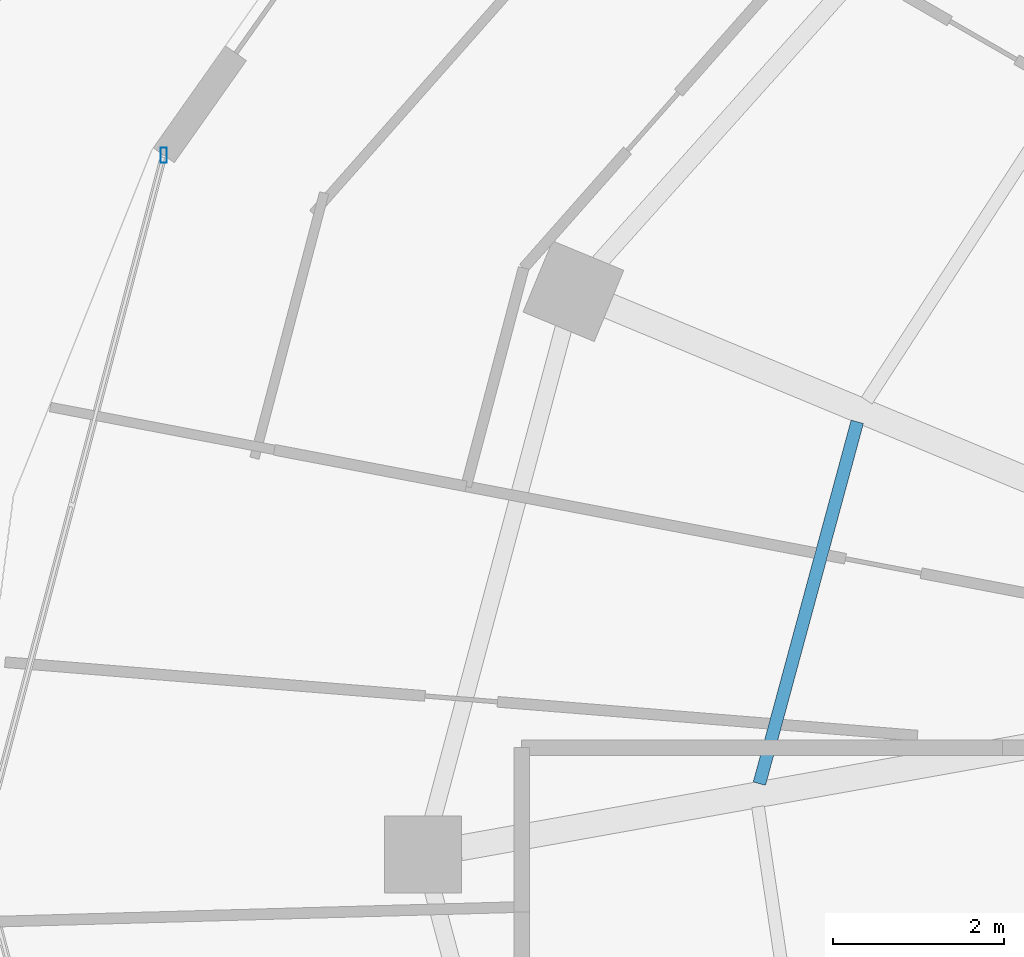
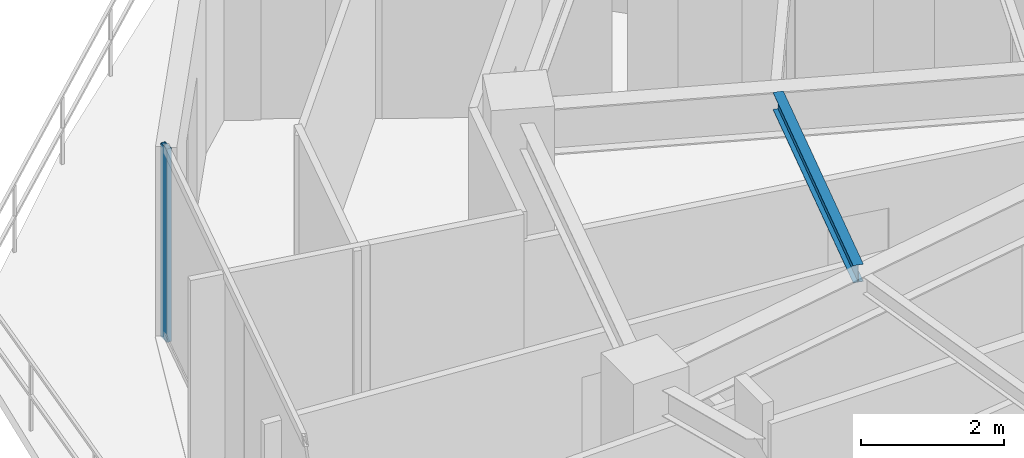
# One storey, part 9 of 33: 1 beam, 1 member, 1 element without a shape of its own.
"""IFC4 building model written with IfcOpenShell, lengths in metres."""

import ifcopenshell
import ifcopenshell.guid

model = None  # the IFC model being written
_history = None  # IfcOwnerHistory: only IFC2X3 demands one
_inside = {}  # id of a spatial element -> (the spatial element, [elements in it])
_under = {}  # id of a project, library or spatial element -> (it, [spatial elements below it])
_declared = {}  # id of a project -> (the project, [libraries it declares])
_typed = {}  # id of a type object -> (the type object, [elements of that type])
_made_of = {}  # id of a material, layer set ... -> (it, [elements and type objects made of it])


def new_model(schema):
    """Start an empty IFC model of exactly this schema.

    Asked for "IFC4X3", IfcOpenShell would pick the latest addendum, in which some entities
    have other attributes; the version numbers below select the first issue.
    IFC2X3 requires an IfcOwnerHistory on every rooted entity: one is made here for all.
    """
    global model, _history
    if schema == "IFC4X3":
        model = ifcopenshell.file(schema_version=(4, 3, 0, 0))
    else:
        model = ifcopenshell.file(schema=schema)
    _inside.clear()
    _under.clear()
    _declared.clear()
    _typed.clear()
    _made_of.clear()
    _history = None
    if model.schema == "IFC2X3":
        org = make("IfcOrganization", Name="unknown")
        user = make(
            "IfcPersonAndOrganization",
            ThePerson=make("IfcPerson", FamilyName="unknown"),
            TheOrganization=org,
        )
        app = make(
            "IfcApplication",
            ApplicationDeveloper=org,
            Version="unknown",
            ApplicationFullName="unknown",
            ApplicationIdentifier="unknown",
        )
        _history = make(
            "IfcOwnerHistory",
            OwningUser=user,
            OwningApplication=app,
            ChangeAction="ADDED",
            CreationDate=0,
        )
    return model


def make(cls, **values):
    """One entity of the class cls with the attributes given. An attribute that is None is left unset."""
    return model.create_entity(
        cls, **{name: value for name, value in values.items() if value is not None}
    )


def rooted(cls, **values):
    """An entity with a GlobalId (a new one), such as an element, a storey or a relation."""
    return make(cls, GlobalId=ifcopenshell.guid.new(), OwnerHistory=_history, **values)


def si_unit(unit_type, name, prefix=None):
    """IfcSIUnit, for example si_unit("LENGTHUNIT", "METRE", prefix="MILLI")."""
    return make("IfcSIUnit", UnitType=unit_type, Prefix=prefix, Name=name)


def assignment(units):
    """IfcUnitAssignment: the units of a project."""
    return None if units is None else make("IfcUnitAssignment", Units=units)


def point(xyz):
    """IfcCartesianPoint."""
    return None if xyz is None else make("IfcCartesianPoint", Coordinates=xyz)


def direction(xyz):
    """IfcDirection."""
    return None if xyz is None else make("IfcDirection", DirectionRatios=xyz)


def frame(location, z_axis=None, x_axis=None):
    """IfcAxis2Placement3D, a coordinate frame: its origin and axes. An axis left out is left unset."""
    return make(
        "IfcAxis2Placement3D",
        Location=point(location),
        Axis=direction(z_axis),
        RefDirection=direction(x_axis),
    )


def frame_2d(location, x_axis=None):
    """IfcAxis2Placement2D, a coordinate frame in the plane: its origin and x axis."""
    return make(
        "IfcAxis2Placement2D", Location=point(location), RefDirection=direction(x_axis)
    )


def origin():
    """The frame at (0, 0, 0) with its axes left unset."""
    return frame((0.0, 0.0, 0.0))


def origin_2d():
    """The frame at (0, 0) in the plane with its x axis left unset."""
    return frame_2d((0.0, 0.0))


def place(relative_to, where):
    """IfcLocalPlacement: puts the frame where relative to a parent placement (None: the world)."""
    return make(
        "IfcLocalPlacement", PlacementRelTo=relative_to, RelativePlacement=where
    )


def context(
    kind, dimensions, precision=None, world=None, true_north=None, identifier=None
):
    """IfcGeometricRepresentationContext, for example the 3D "Model" context."""
    return make(
        "IfcGeometricRepresentationContext",
        ContextIdentifier=identifier,
        ContextType=kind,
        CoordinateSpaceDimension=dimensions,
        Precision=precision,
        WorldCoordinateSystem=world,
        TrueNorth=true_north,
    )


def subcontext(parent, identifier, kind, view, scale=None):
    """IfcGeometricRepresentationSubContext, for example "Body" below "Model"."""
    return make(
        "IfcGeometricRepresentationSubContext",
        ContextIdentifier=identifier,
        ContextType=kind,
        ParentContext=parent,
        TargetScale=scale,
        TargetView=view,
    )


def project(units=None, contexts=None):
    """IfcProject with its units and contexts."""
    return rooted(
        "IfcProject",
        Name="project",
        RepresentationContexts=contexts,
        UnitsInContext=assignment(units),
    )


def spatial(cls, under=None, at=None, **own):
    """A site, building, storey or space (cls), placed at a placement, below another one or the project."""
    s = rooted(cls, ObjectPlacement=at, **own)
    if under is not None:
        _under.setdefault(under.id(), (under, []))[1].append(s)
    return s


def profile(cls, at=None, kind="AREA", **sizes):
    """A parametric profile (cls). Its sizes go by their IFC names, for example OverallWidth=200.0."""
    return make(cls, ProfileType=kind, Position=at, **sizes)


def hollow_rectangle(**sizes):
    """IfcRectangleHollowProfileDef."""
    return profile("IfcRectangleHollowProfileDef", **sizes)


def i_section(**sizes):
    """IfcIShapeProfileDef."""
    return profile("IfcIShapeProfileDef", **sizes)


def extrude(swept, where, along, depth):
    """IfcExtrudedAreaSolid: the profile swept, set in the frame where, extruded along a direction by depth."""
    return make(
        "IfcExtrudedAreaSolid",
        SweptArea=swept,
        Position=where,
        ExtrudedDirection=direction(along),
        Depth=depth,
    )


def shape(context_of_items, identifier, shape_type, items):
    """IfcShapeRepresentation: the items that make up one representation, for example the "Body"."""
    return make(
        "IfcShapeRepresentation",
        ContextOfItems=context_of_items,
        RepresentationIdentifier=identifier,
        RepresentationType=shape_type,
        Items=items,
    )


def material(Name=None, Category=None):
    """IfcMaterial."""
    return make("IfcMaterial", Name=Name, Category=Category)


def material_profile(
    of_material, cross_section, Name=None, Category=None, Priority=None
):
    """IfcMaterialProfile: a cross section and its material."""
    return make(
        "IfcMaterialProfile",
        Name=Name,
        Material=of_material,
        Profile=cross_section,
        Priority=Priority,
        Category=Category,
    )


def profile_set(profiles, Name=None, composite=None):
    """IfcMaterialProfileSet."""
    return make(
        "IfcMaterialProfileSet",
        Name=Name,
        MaterialProfiles=profiles,
        CompositeProfile=composite,
    )


def made_of(thing, what):
    """Note that an element or type object is made of a material, layer set ...; save() writes the relation."""
    if what is not None:
        _made_of.setdefault(what.id(), (what, []))[1].append(thing)
    return thing


def type_object(cls, material=None, **own):
    """A type object (cls), such as IfcWallType, which elements share."""
    return made_of(rooted(cls, **own), material)


def element(
    cls,
    number,
    at=None,
    inside=None,
    cuts=None,
    type_object=None,
    material=None,
    context=None,
    identifier="Body",
    shape_type=None,
    held_by="IfcProductDefinitionShape",
    body=None,
    shapes=None,
    **own,
):
    """One element of the class cls, such as IfcWall. Its Tag is "e" and its number.

    at: its placement. inside: the storey or other place that contains it. cuts: it is an
    opening in that element (IfcRelVoidsElement). A single representation is given by context,
    identifier, shape_type and body (its items); several are given by shapes. held_by: the class
    of the entity that holds the representations. save() writes the other relations.
    """
    e = rooted(cls, Tag="e%d" % number, ObjectPlacement=at, **own)
    if body is not None:
        shapes = [shape(context, identifier, shape_type, body)]
    if shapes is not None:
        e.Representation = make(held_by, Representations=shapes)
    if inside is not None:
        _inside.setdefault(inside.id(), (inside, []))[1].append(e)
    if cuts is not None:
        rooted(
            "IfcRelVoidsElement", RelatingBuildingElement=cuts, RelatedOpeningElement=e
        )
    if type_object is not None:
        _typed.setdefault(type_object.id(), (type_object, []))[1].append(e)
    return made_of(e, material)


def aggregate(whole, parts):
    """IfcRelAggregates: a whole, such as a stair, and the parts it consists of."""
    return rooted("IfcRelAggregates", RelatingObject=whole, RelatedObjects=parts)


def save(model, path):
    """Write the relations noted so far, then the file.

    IfcRelAggregates (storeys below a building ...), IfcRelContainedInSpatialStructure (elements
    in a storey), IfcRelDefinesByType, IfcRelAssociatesMaterial and IfcRelDeclares: one each for
    every whole, place, type object, material and project.
    """
    for whole, parts in _under.values():
        aggregate(whole, parts)
    for where, things in _inside.values():
        rooted(
            "IfcRelContainedInSpatialStructure",
            RelatedElements=things,
            RelatingStructure=where,
        )
    for kind, things in _typed.values():
        rooted("IfcRelDefinesByType", RelatedObjects=things, RelatingType=kind)
    for what, things in _made_of.values():
        rooted("IfcRelAssociatesMaterial", RelatedObjects=things, RelatingMaterial=what)
    for by, libraries in _declared.values():
        rooted("IfcRelDeclares", RelatingContext=by, RelatedDefinitions=libraries)
    model.write(path)


model = new_model("IFC4")

# Units and contexts
model_context = context("Model", 3, precision=1e-05, world=origin(), true_north=direction((0.0, 1.0)))
body_context = subcontext(model_context, "Body", "Model", "MODEL_VIEW")
ifc_project = project(units=[si_unit("LENGTHUNIT", "METRE"), si_unit("AREAUNIT", "SQUARE_METRE"), si_unit("VOLUMEUNIT", "CUBIC_METRE"), si_unit("PLANEANGLEUNIT", "RADIAN"), si_unit("MASSUNIT", "GRAM", prefix="KILO")], contexts=[model_context])

# Site, building, storey
site_placement = place(None, origin())
site = spatial("IfcSite", under=ifc_project, at=site_placement, CompositionType="ELEMENT")
building_placement = place(site_placement, origin())
building = spatial("IfcBuilding", under=site, at=building_placement, Name="Vorneva Point Tower", CompositionType="ELEMENT")
storey_placement = place(building_placement, frame((0.0, 0.0, 196.60009765625)))
storey = spatial("IfcBuildingStorey", under=building, at=storey_placement, Name="L53", CompositionType="ELEMENT", Elevation=196.60009765625)

# Beam
ifc_material_1 = material(Name="Steel S355", Category="steel")
ifc_material_profile_1 = material_profile(ifc_material_1, i_section(OverallWidth=0.14892578125, OverallDepth=0.298095703125, WebThickness=0.005615234375, FlangeThickness=0.008056640625, at=origin_2d()), Name="30B1")
ifc_profile_set_1 = profile_set([ifc_material_profile_1], Name="Steel S355")
beam_type = type_object("IfcBeamType", Name="BM-JST-30B1", PredefinedType="JOIST", material=ifc_profile_set_1)
beam_placement = place(storey_placement, frame((20.02099609375, 31.055908203125, 3.0908203125), z_axis=(-0.26115898647, -0.965295801185, 0.0), x_axis=(0.965295801185, -0.26115898647, 0.0)))
element("IfcBeam", 1, at=beam_placement, inside=storey, type_object=beam_type, Name="L53 Secondary Floor Beam 1.08", PredefinedType="JOIST", context=body_context, shape_type="SweptSolid", body=[
    extrude(i_section(OverallWidth=0.14892578125, OverallDepth=0.298095703125, WebThickness=0.005615234375, FlangeThickness=0.008056640625, at=origin_2d()), origin(), (0.0, 0.0, 1.0), 4.378662109375),
])

# Curtain wall, member
ifc_material_2 = material(Name="Pale anodised aluminium", Category="aluminium")
curtain_wall_type = type_object("IfcCurtainWallType", Name="CW-RES-SYS", PredefinedType="NOTDEFINED", material=ifc_material_2)
curtain_wall_placement = place(storey_placement, origin())
curtain_wall = element("IfcCurtainWall", 2, at=curtain_wall_placement, inside=storey, type_object=curtain_wall_type, Name="L53 Unitised Curtain Wall CW-L53-R03", PredefinedType="NOTDEFINED")
ifc_material_profile_2 = material_profile(ifc_material_2, hollow_rectangle(XDim=0.074951171875, YDim=0.179931640625, WallThickness=0.00390625, at=origin_2d()), Name="AL-MUL 180x75x4")
ifc_profile_set_2 = profile_set([ifc_material_profile_2], Name="Pale anodised aluminium")
member_type = type_object("IfcMemberType", Name="CW-MUL-180", PredefinedType="MULLION", material=ifc_profile_set_2)
member_placement = place(storey_placement, frame((11.9189453125, 34.17041015625, -0.0400390625), z_axis=(0.0, 0.0, 1.0), x_axis=(1.0, 0.0, 0.0)))
member = element("IfcMember", 3, at=member_placement, type_object=member_type, Name="CW-L53-R03 Mullion 01", PredefinedType="MULLION", context=body_context, shape_type="SweptSolid", body=[
    extrude(hollow_rectangle(XDim=0.074951171875, YDim=0.179931640625, WallThickness=0.00390625, at=origin_2d()), origin(), (0.0, 0.0, 1.0), 3.31005859375),
])
aggregate(curtain_wall, [member])

save(model, "model.ifc")
